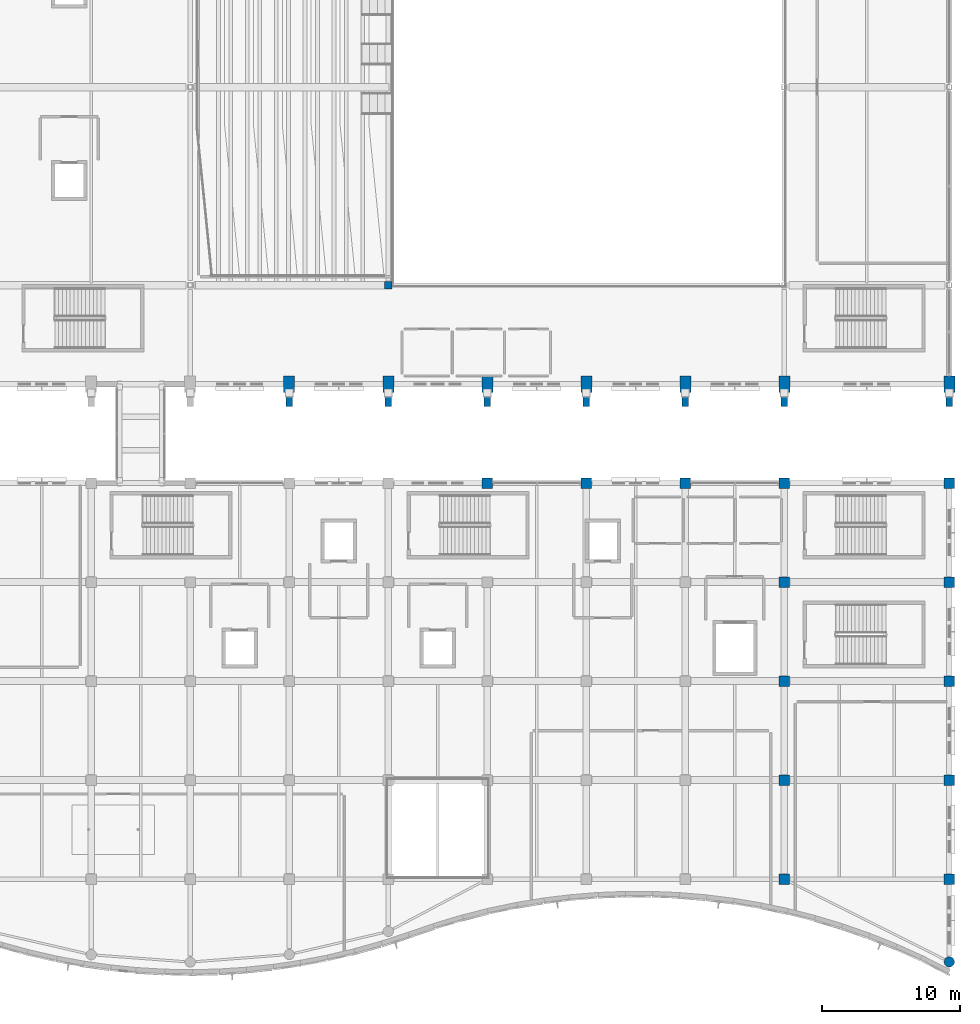
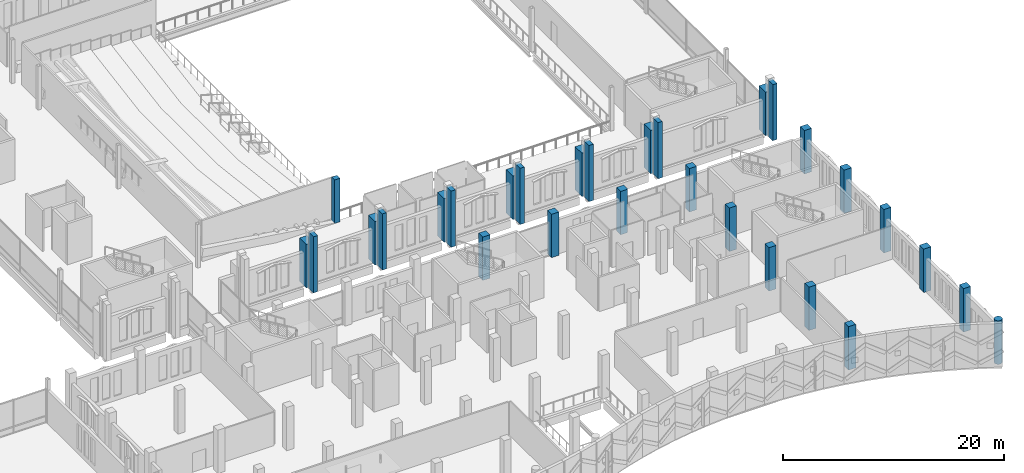
# One storey, part 13 of 193: 29 columns.
"""IFC4 building model written with IfcOpenShell, lengths in metres."""

from ifc_helpers import new_model, si_unit, direction, frame, origin, origin_2d, place, context, subcontext, project, spatial, rectangle, circle, extrude, material, material_profile, profile_set, type_object, element, save


model = new_model("IFC4")

# Units and contexts
model_context = context("Model", 3, precision=1e-05, world=origin(), true_north=direction((0.0, 1.0)))
body_context = subcontext(model_context, "Body", "Model", "MODEL_VIEW")
ifc_project = project(units=[si_unit("LENGTHUNIT", "METRE"), si_unit("AREAUNIT", "SQUARE_METRE"), si_unit("VOLUMEUNIT", "CUBIC_METRE"), si_unit("PLANEANGLEUNIT", "RADIAN"), si_unit("MASSUNIT", "GRAM", prefix="KILO")], contexts=[model_context])

# Site, building, storey
site_placement = place(None, origin())
site = spatial("IfcSite", under=ifc_project, at=site_placement, CompositionType="ELEMENT")
building_placement = place(site_placement, origin())
building = spatial("IfcBuilding", under=site, at=building_placement, Name="Cendralis Lancet Convention Centre", CompositionType="ELEMENT")
storey_placement = place(building_placement, frame((0.0, 0.0, 10.199951171875)))
storey = spatial("IfcBuildingStorey", under=building, at=storey_placement, Name="L02", CompositionType="ELEMENT", Elevation=10.199951171875)

# Columns
ifc_material = material(Name="Concrete G40 (C40/50)", Category="concrete")
ifc_material_profile_1 = material_profile(ifc_material, rectangle(XDim=0.75, YDim=0.75, at=origin_2d()), Name="RC 750x750")
ifc_profile_set_1 = profile_set([ifc_material_profile_1], Name="Concrete G40 (C40/50)")
column_type_1 = type_object("IfcColumnType", Name="STR-COL-C06", PredefinedType="COLUMN", material=ifc_profile_set_1)
for number, where, z_axis, x_axis, name in (
    (1, (175.199951171875, 36.0, 0.0), (0.0, 0.0, 1.0), (1.0, 0.0, 0.0), "L02 Column C06 at 175.2,36.0"),
    (2, (182.39990234375, 36.0, 0.0), (0.0, 0.0, 1.0), (1.0, 0.0, 0.0), "L02 Column C06 at 182.4,36.0"),
    (3, (189.60009765625, 36.0, 0.0), (0.0, 0.0, 1.0), (1.0, 0.0, 0.0), "L02 Column C06 at 189.6,36.0"),
    (4, (196.800048828125, 36.0, 0.0), (0.0, 0.0, 1.0), (1.0, 0.0, 0.0), "L02 Column C06 at 196.8,36.0"),
    (5, (208.800048828125, 7.199951171875, 0.0), (0.0, 0.0, 1.0), (1.0, 0.0, 0.0), "L02 Column C06 at 208.8,7.2"),
    (6, (208.800048828125, 14.39990234375, 0.0), (0.0, 0.0, 1.0), (1.0, 0.0, 0.0), "L02 Column C06 at 208.8,14.4"),
    (7, (208.800048828125, 21.60009765625, 0.0), (0.0, 0.0, 1.0), (1.0, 0.0, 0.0), "L02 Column C06 at 208.8,21.6"),
    (8, (208.800048828125, 28.800048828125, 0.0), (0.0, 0.0, 1.0), (1.0, 0.0, 0.0), "L02 Column C06 at 208.8,28.8"),
    (9, (208.800048828125, 36.0, 0.0), (0.0, 0.0, 1.0), (1.0, 0.0, 0.0), "L02 Column C06 at 208.8,36.0"),
):
    element("IfcColumn", number, at=place(storey_placement, frame(where, z_axis=z_axis, x_axis=x_axis)), inside=storey, type_object=column_type_1, Name=name, PredefinedType="COLUMN", context=body_context, shape_type="SweptSolid", body=[
        extrude(rectangle(XDim=0.75, YDim=0.75, at=origin_2d()), origin(), (0.0, 0.0, 1.0), 4.800048828125),
    ])
ifc_material_profile_2 = material_profile(ifc_material, rectangle(XDim=0.75, YDim=0.75, at=origin_2d()), Name="RC 750x750")
ifc_profile_set_2 = profile_set([ifc_material_profile_2], Name="Concrete G40 (C40/50)")
column_type_2 = type_object("IfcColumnType", Name="STR-COL-C06-INT", PredefinedType="COLUMN", material=ifc_profile_set_2)
for number, where, z_axis, x_axis, name in (
    (10, (196.800048828125, 7.199951171875, 0.0), (0.0, 0.0, 1.0), (1.0, 0.0, 0.0), "L02 Column C06 at 196.8,7.2"),
    (11, (196.800048828125, 14.39990234375, 0.0), (0.0, 0.0, 1.0), (1.0, 0.0, 0.0), "L02 Column C06 at 196.8,14.4"),
    (12, (196.800048828125, 21.60009765625, 0.0), (0.0, 0.0, 1.0), (1.0, 0.0, 0.0), "L02 Column C06 at 196.8,21.6"),
    (13, (196.800048828125, 28.800048828125, 0.0), (0.0, 0.0, 1.0), (1.0, 0.0, 0.0), "L02 Column C06 at 196.8,28.8"),
):
    element("IfcColumn", number, at=place(storey_placement, frame(where, z_axis=z_axis, x_axis=x_axis)), inside=storey, type_object=column_type_2, Name=name, PredefinedType="COLUMN", context=body_context, shape_type="SweptSolid", body=[
        extrude(rectangle(XDim=0.75, YDim=0.75, at=origin_2d()), origin(), (0.0, 0.0, 1.0), 4.800048828125),
    ])
ifc_material_profile_3 = material_profile(ifc_material, rectangle(XDim=0.550048828125, YDim=0.550048828125, at=origin_2d()), Name="RC 550x550")
ifc_profile_set_3 = profile_set([ifc_material_profile_3], Name="Concrete G40 (C40/50)")
column_type_3 = type_object("IfcColumnType", Name="STR-COL-C10-INT", PredefinedType="COLUMN", material=ifc_profile_set_3)
column_1_placement = place(storey_placement, frame((168.0, 50.39990234375, 0.0), z_axis=(0.0, 0.0, 1.0), x_axis=(1.0, 0.0, 0.0)))
element("IfcColumn", 14, at=column_1_placement, inside=storey, type_object=column_type_3, Name="L02 Column C10 at 168.0,50.4", PredefinedType="COLUMN", context=body_context, shape_type="SweptSolid", body=[
    extrude(rectangle(XDim=0.550048828125, YDim=0.550048828125, at=origin_2d()), origin(), (0.0, 0.0, 1.0), 4.800048828125),
])
ifc_material_profile_4 = material_profile(ifc_material, rectangle(XDim=0.800048828125, YDim=1.199951171875, at=origin_2d()), Name="RC 800x1200")
ifc_profile_set_4 = profile_set([ifc_material_profile_4], Name="Concrete G40 (C40/50)")
column_type_4 = type_object("IfcColumnType", Name="STR-COL-C15", PredefinedType="COLUMN", material=ifc_profile_set_4)
for number, where, z_axis, x_axis, name in (
    (15, (160.800048828125, 43.199951171875, 0.0), (0.0, 0.0, 1.0), (1.0, 0.0, 0.0), "L02 Column C15 at 160.8,43.2"),
    (16, (168.0, 43.199951171875, 0.0), (0.0, 0.0, 1.0), (1.0, 0.0, 0.0), "L02 Column C15 at 168.0,43.2"),
    (17, (175.199951171875, 43.199951171875, 0.0), (0.0, 0.0, 1.0), (1.0, 0.0, 0.0), "L02 Column C15 at 175.2,43.2"),
    (18, (182.39990234375, 43.199951171875, 0.0), (0.0, 0.0, 1.0), (1.0, 0.0, 0.0), "L02 Column C15 at 182.4,43.2"),
    (19, (189.60009765625, 43.199951171875, 0.0), (0.0, 0.0, 1.0), (1.0, 0.0, 0.0), "L02 Column C15 at 189.6,43.2"),
    (20, (196.800048828125, 43.199951171875, 0.0), (0.0, 0.0, 1.0), (1.0, 0.0, 0.0), "L02 Column C15 at 196.8,43.2"),
    (21, (208.800048828125, 43.199951171875, 0.0), (0.0, 0.0, 1.0), (1.0, 0.0, 0.0), "L02 Column C15 at 208.8,43.2"),
):
    element("IfcColumn", number, at=place(storey_placement, frame(where, z_axis=z_axis, x_axis=x_axis)), inside=storey, type_object=column_type_4, Name=name, PredefinedType="COLUMN", context=body_context, shape_type="SweptSolid", body=[
        extrude(rectangle(XDim=0.800048828125, YDim=1.199951171875, at=origin_2d()), origin(), (0.0, 0.0, 1.0), 4.800048828125),
    ])
ifc_material_profile_5 = material_profile(ifc_material, circle(Radius=0.375, at=origin_2d()), Name="RC D750")
ifc_profile_set_5 = profile_set([ifc_material_profile_5], Name="Concrete G40 (C40/50)")
column_type_5 = type_object("IfcColumnType", Name="STR-COL-C18", PredefinedType="COLUMN", material=ifc_profile_set_5)
column_2_placement = place(storey_placement, frame((208.800048828125, 1.183837890625, 0.0), z_axis=(0.0, 0.0, 1.0), x_axis=(1.0, 0.0, 0.0)))
element("IfcColumn", 22, at=column_2_placement, inside=storey, type_object=column_type_5, Name="L02 Column C18 at 208.8,1.2", PredefinedType="COLUMN", context=body_context, shape_type="SweptSolid", body=[
    extrude(circle(Radius=0.375, at=origin_2d()), origin(), (0.0, 0.0, 1.0), 4.800048828125),
])
ifc_material_profile_6 = material_profile(ifc_material, rectangle(XDim=0.449951171875, YDim=0.89990234375, at=origin_2d()), Name="RC 450x900")
ifc_profile_set_6 = profile_set([ifc_material_profile_6], Name="Concrete G40 (C40/50)")
column_type_6 = type_object("IfcColumnType", Name="STR-PIL-PL02", PredefinedType="PILASTER", material=ifc_profile_set_6)
for number, where, z_axis, x_axis, name in (
    (23, (160.800048828125, 42.0400390625, 0.0), (0.0, 0.0, 1.0), (1.0, 0.0, 0.0), "L02 Column PL02 at 160.8,42.0"),
    (24, (168.0, 42.0400390625, 0.0), (0.0, 0.0, 1.0), (1.0, 0.0, 0.0), "L02 Column PL02 at 168.0,42.0"),
    (25, (175.199951171875, 42.0400390625, 0.0), (0.0, 0.0, 1.0), (1.0, 0.0, 0.0), "L02 Column PL02 at 175.2,42.0"),
    (26, (182.39990234375, 42.0400390625, 0.0), (0.0, 0.0, 1.0), (1.0, 0.0, 0.0), "L02 Column PL02 at 182.4,42.0"),
    (27, (189.60009765625, 42.0400390625, 0.0), (0.0, 0.0, 1.0), (1.0, 0.0, 0.0), "L02 Column PL02 at 189.6,42.0"),
    (28, (196.800048828125, 42.0400390625, 0.0), (0.0, 0.0, 1.0), (1.0, 0.0, 0.0), "L02 Column PL02 at 196.8,42.0"),
    (29, (208.800048828125, 42.0400390625, 0.0), (0.0, 0.0, 1.0), (1.0, 0.0, 0.0), "L02 Column PL02 at 208.8,42.0"),
):
    element("IfcColumn", number, at=place(storey_placement, frame(where, z_axis=z_axis, x_axis=x_axis)), inside=storey, type_object=column_type_6, Name=name, PredefinedType="PILASTER", context=body_context, shape_type="SweptSolid", body=[
        extrude(rectangle(XDim=0.449951171875, YDim=0.89990234375, at=origin_2d()), origin(), (0.0, 0.0, 1.0), 6.199951171875),
    ])

save(model, "model.ifc")
